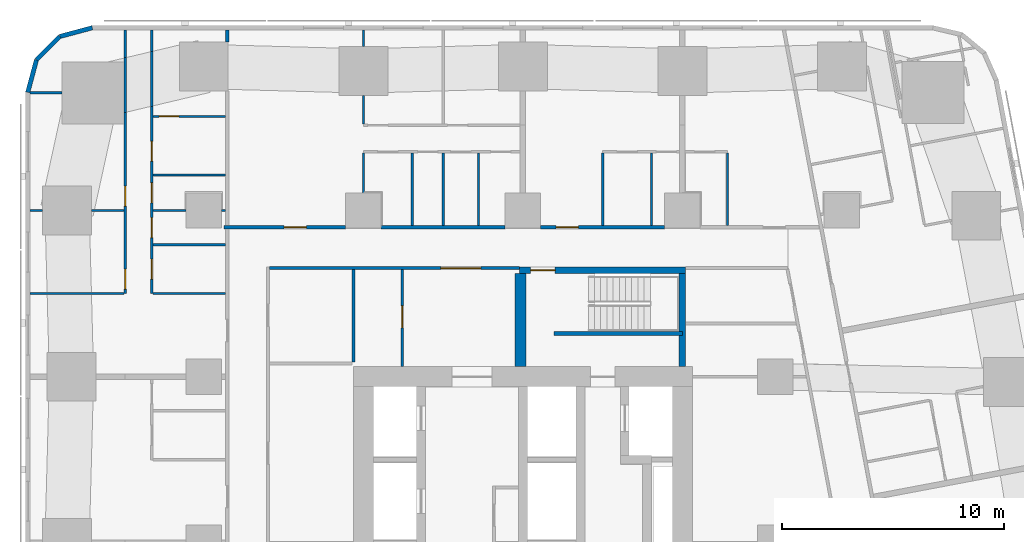
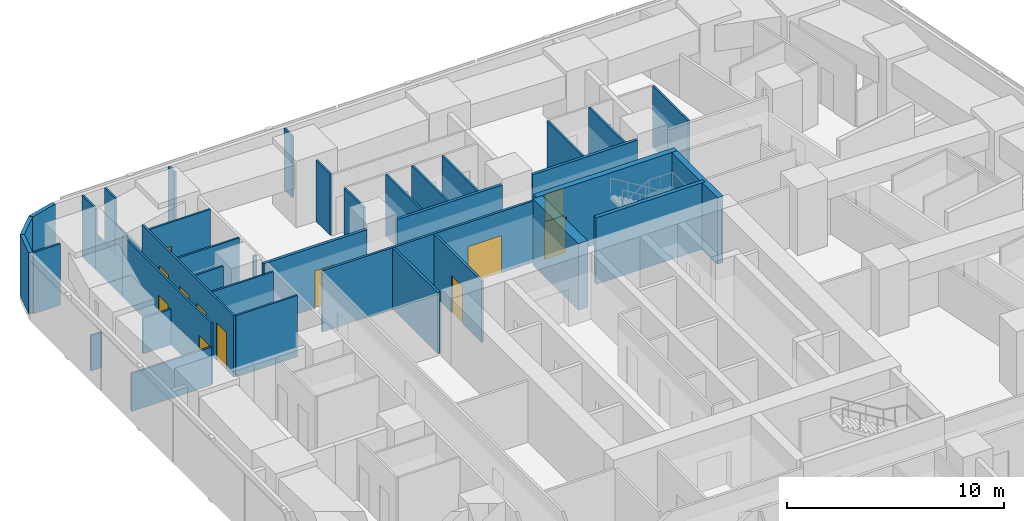
# One storey, part 8 of 14: 39 walls, 12 doors, 12 openings.
"""IFC4 building model written with IfcOpenShell, lengths in metres."""

from ifc_helpers import new_model, si_unit, direction, frame, frame_2d, origin, place, context, subcontext, project, spatial, rectangle, extrude, material, layer, layer_set, type_object, element, fill, save


model = new_model("IFC4")

# Units and contexts
model_context = context("Model", 3, precision=1e-05, world=origin(), true_north=direction((0.0, 1.0)))
body_context = subcontext(model_context, "Body", "Model", "MODEL_VIEW")
ifc_project = project(units=[si_unit("LENGTHUNIT", "METRE"), si_unit("AREAUNIT", "SQUARE_METRE"), si_unit("VOLUMEUNIT", "CUBIC_METRE"), si_unit("PLANEANGLEUNIT", "RADIAN"), si_unit("MASSUNIT", "GRAM", prefix="KILO")], contexts=[model_context])

# Site, building, storey
site_placement = place(None, origin())
site = spatial("IfcSite", under=ifc_project, at=site_placement, CompositionType="ELEMENT")
building_placement = place(site_placement, origin())
building = spatial("IfcBuilding", under=site, at=building_placement, Name="Sheger Commons Tower", CompositionType="ELEMENT")
storey_placement = place(building_placement, frame((0.0, 0.0, 126.64990234375)))
storey = spatial("IfcBuildingStorey", under=building, at=storey_placement, Name="L32", CompositionType="ELEMENT", Elevation=126.64990234375)

# Wall
ifc_material_1 = material(Name="Hollow concrete block masonry, skimmed both sides", Category="masonry")
ifc_layer_1 = layer(ifc_material_1, 0.14990234375)
ifc_layer_set_1 = layer_set([ifc_layer_1], Name="CORRIDOR WALL 150")
wall_type_1 = type_object("IfcWallType", Name="CORRIDOR WALL 150", PredefinedType="SOLIDWALL", material=ifc_layer_set_1)
wall_1_placement = place(storey_placement, frame((8.25, 45.10107421875, 0.0), z_axis=(0.0, 0.0, 1.0), x_axis=(0.0, 1.0, 0.0)))
element("IfcWall", 1, at=wall_1_placement, inside=storey, type_object=wall_type_1, Name="Corridor wall L32", PredefinedType="SOLIDWALL", context=body_context, shape_type="SweptSolid", body=[
    extrude(rectangle(XDim=0.548828125, YDim=0.14990234375, at=frame_2d((0.2744140625, 0.0))), origin(), (0.0, 0.0, 1.0), 3.4501953125),
])

# Wall, opening, door
wall_2_placement = place(storey_placement, frame((8.10009765625, 36.75, 0.0), z_axis=(0.0, 0.0, 1.0), x_axis=(1.0, 0.0, 0.0)))
wall_2 = element("IfcWall", 2, at=wall_2_placement, inside=storey, type_object=wall_type_1, Name="Corridor wall L32", PredefinedType="SOLIDWALL", context=body_context, shape_type="SweptSolid", body=[
    extrude(rectangle(XDim=5.4990234375, YDim=0.14990234375, at=frame_2d((2.74951171875, 0.0))), origin(), (0.0, 0.0, 1.0), 3.4501953125),
])
opening_1_placement = place(wall_2_placement, frame((2.72509765625, 0.0, 0.0)))
opening_1 = element("IfcOpeningElement", 3, at=opening_1_placement, cuts=wall_2, Name="Opening D1", PredefinedType="OPENING", context=body_context, shape_type="SweptSolid", body=[
    extrude(rectangle(XDim=1.0, YDim=2.10009765625, at=frame_2d((0.5, 1.050048828125))), frame((0.0, 0.0849609375, 0.0), z_axis=(0.0, -1.0, 0.0), x_axis=(1.0, 0.0, 0.0)), (0.0, 0.0, 1.0), 0.169921875),
])
ifc_material_2 = material(Name="Steel door set, fire rated", Category="steel")
door_type_1 = type_object("IfcDoorType", Name="FLAT ENTRANCE DOOR 1000x2100", OperationType="NOTDEFINED", PredefinedType="DOOR", material=ifc_material_2)
door_1_placement = place(opening_1_placement, origin())
door_1 = element("IfcDoor", 4, at=door_1_placement, inside=storey, type_object=door_type_1, Name="Flat entrance door", OperationType="SINGLE_SWING_LEFT", OverallHeight=2.10009765625, OverallWidth=1.0, PredefinedType="DOOR", context=body_context, shape_type="SweptSolid", body=[
    extrude(rectangle(XDim=1.0, YDim=2.10009765625, at=frame_2d((0.5, 1.050048828125))), frame((0.0, 0.02490234375, 0.0), z_axis=(0.0, -1.0, 0.0), x_axis=(1.0, 0.0, 0.0)), (0.0, 0.0, 1.0), 0.050048828125),
])
fill(opening_1, door_1)

# Wall
wall_3_placement = place(storey_placement, frame((15.200927734375, 36.75, 0.0), z_axis=(0.0, 0.0, 1.0), x_axis=(1.0, 0.0, 0.0)))
element("IfcWall", 5, at=wall_3_placement, inside=storey, type_object=wall_type_1, Name="Corridor wall L32", PredefinedType="SOLIDWALL", context=body_context, shape_type="SweptSolid", body=[
    extrude(rectangle(XDim=5.59814453125, YDim=0.14990234375, at=frame_2d((2.799072265625, 0.0))), origin(), (0.0, 0.0, 1.0), 3.4501953125),
])

# Wall, opening, door
wall_4_placement = place(storey_placement, frame((22.40087890625, 36.75, 0.0), z_axis=(0.0, 0.0, 1.0), x_axis=(1.0, 0.0, 0.0)))
wall_4 = element("IfcWall", 6, at=wall_4_placement, inside=storey, type_object=wall_type_1, Name="Corridor wall L32", PredefinedType="SOLIDWALL", context=body_context, shape_type="SweptSolid", body=[
    extrude(rectangle(XDim=5.59814453125, YDim=0.14990234375, at=frame_2d((2.799072265625, 0.0))), origin(), (0.0, 0.0, 1.0), 3.4501953125),
])
opening_2_placement = place(wall_4_placement, frame((0.698974609375, 0.0, 0.0)))
opening_2 = element("IfcOpeningElement", 7, at=opening_2_placement, cuts=wall_4, Name="Opening D1", PredefinedType="OPENING", context=body_context, shape_type="SweptSolid", body=[
    extrude(rectangle(XDim=1.0, YDim=2.10009765625, at=frame_2d((0.5, 1.050048828125))), frame((0.0, 0.0849609375, 0.0), z_axis=(0.0, -1.0, 0.0), x_axis=(1.0, 0.0, 0.0)), (0.0, 0.0, 1.0), 0.169921875),
])
door_2_placement = place(opening_2_placement, origin())
door_2 = element("IfcDoor", 8, at=door_2_placement, inside=storey, type_object=door_type_1, Name="Flat entrance door", OperationType="SINGLE_SWING_LEFT", OverallHeight=2.10009765625, OverallWidth=1.0, PredefinedType="DOOR", context=body_context, shape_type="SweptSolid", body=[
    extrude(rectangle(XDim=1.0, YDim=2.10009765625, at=frame_2d((0.5, 1.050048828125))), frame((0.0, 0.02490234375, 0.0), z_axis=(0.0, -1.0, 0.0), x_axis=(1.0, 0.0, 0.0)), (0.0, 0.0, 1.0), 0.050048828125),
])
fill(opening_2, door_2)

# Walls
ifc_material_3 = material(Name="Rendered concrete block masonry, dark grey", Category="masonry")
ifc_layer_2 = layer(ifc_material_3, 0.199951171875)
ifc_layer_set_2 = layer_set([ifc_layer_2], Name="FACADE WALL 200")
wall_type_2 = type_object("IfcWallType", Name="FACADE WALL 200", PredefinedType="SOLIDWALL", material=ifc_layer_set_2)
wall_5_placement = place(storey_placement, frame((2.1630859375, 45.75, 0.0), z_axis=(0.0, 0.0, 1.0), x_axis=(-0.965832000415, -0.259168954497, 0.0)))
element("IfcWall", 9, at=wall_5_placement, inside=storey, type_object=wall_type_2, Name="Facade wall L32", PredefinedType="SOLIDWALL", context=body_context, shape_type="SweptSolid", body=[
    extrude(rectangle(XDim=1.512939453125, YDim=0.199951171875, at=frame_2d((0.75634765625, 0.0))), origin(), (0.0, 0.0, 1.0), 3.4501953125),
])
wall_6_placement = place(storey_placement, frame((0.701904296875, 45.35791015625, 0.0), z_axis=(0.0, 0.0, 1.0), x_axis=(-0.707106781187, -0.707106781187, 0.0)))
element("IfcWall", 10, at=wall_6_placement, inside=storey, type_object=wall_type_2, Name="Facade wall L32", PredefinedType="SOLIDWALL", context=body_context, shape_type="SweptSolid", body=[
    extrude(rectangle(XDim=1.498779296875, YDim=0.199951171875, at=frame_2d((0.74951171875, 0.0))), origin(), (0.0, 0.0, 1.0), 3.4501953125),
])
wall_7_placement = place(storey_placement, frame((-0.35791015625, 44.298095703125, 0.0), z_axis=(0.0, 0.0, 1.0), x_axis=(-0.259168954497, -0.965832000415, 0.0)))
element("IfcWall", 11, at=wall_7_placement, inside=storey, type_object=wall_type_2, Name="Facade wall L32", PredefinedType="SOLIDWALL", context=body_context, shape_type="SweptSolid", body=[
    extrude(rectangle(XDim=1.512939453125, YDim=0.199951171875, at=frame_2d((0.75634765625, 0.0))), origin(), (0.0, 0.0, 1.0), 3.4501953125),
])

# Wall, openings, doors
ifc_material_4 = material(Name="Gypsum board on steel studs", Category="steel")
ifc_layer_3 = layer(ifc_material_4, 0.10009765625)
ifc_layer_set_3 = layer_set([ifc_layer_3], Name="PARTITION 100")
wall_type_3 = type_object("IfcWallType", Name="PARTITION 100", PredefinedType="PARTITIONING", material=ifc_layer_set_3)
wall_8_placement = place(storey_placement, frame((3.64990234375, 33.75, 0.0), z_axis=(0.0, 0.0, 1.0), x_axis=(0.0, 1.0, 0.0)))
wall_8 = element("IfcWall", 12, at=wall_8_placement, inside=storey, type_object=wall_type_3, Name="Partition L32", PredefinedType="PARTITIONING", context=body_context, shape_type="SweptSolid", body=[
    extrude(rectangle(XDim=8.1650390625, YDim=0.10009765625, at=frame_2d((4.08251953125, 0.0))), origin(), (0.0, 0.0, 1.0), 3.4501953125),
])
opening_3_placement = place(wall_8_placement, frame((0.199951171875, 0.0, 0.0)))
opening_3 = element("IfcOpeningElement", 13, at=opening_3_placement, cuts=wall_8, Name="Opening D2", PredefinedType="OPENING", context=body_context, shape_type="SweptSolid", body=[
    extrude(rectangle(XDim=0.89990234375, YDim=2.10009765625, at=frame_2d((0.449951171875, 1.050048828125))), frame((0.0, 0.06005859375, 0.0), z_axis=(0.0, -1.0, 0.0), x_axis=(1.0, 0.0, 0.0)), (0.0, 0.0, 1.0), 0.1201171875),
])
opening_4_placement = place(wall_8_placement, frame((3.949951171875, 0.0, 0.0)))
opening_4 = element("IfcOpeningElement", 14, at=opening_4_placement, cuts=wall_8, Name="Opening D2", PredefinedType="OPENING", context=body_context, shape_type="SweptSolid", body=[
    extrude(rectangle(XDim=0.89990234375, YDim=2.10009765625, at=frame_2d((0.449951171875, 1.050048828125))), frame((0.0, 0.06005859375, 0.0), z_axis=(0.0, -1.0, 0.0), x_axis=(1.0, 0.0, 0.0)), (0.0, 0.0, 1.0), 0.1201171875),
])
ifc_material_5 = material(Name="Timber door set", Category="wood")
door_type_2 = type_object("IfcDoorType", Name="INTERNAL DOOR 900x2100", OperationType="NOTDEFINED", PredefinedType="DOOR", material=ifc_material_5)
door_3_placement = place(opening_3_placement, origin())
door_3 = element("IfcDoor", 15, at=door_3_placement, inside=storey, type_object=door_type_2, Name="Main bedroom door", OperationType="SINGLE_SWING_LEFT", OverallHeight=2.10009765625, OverallWidth=0.89990234375, PredefinedType="DOOR", context=body_context, shape_type="SweptSolid", body=[
    extrude(rectangle(XDim=0.89990234375, YDim=2.10009765625, at=frame_2d((0.449951171875, 1.050048828125))), frame((0.0, 0.02490234375, 0.0), z_axis=(0.0, -1.0, 0.0), x_axis=(1.0, 0.0, 0.0)), (0.0, 0.0, 1.0), 0.050048828125),
])
fill(opening_3, door_3)
door_4_placement = place(opening_4_placement, origin())
door_4 = element("IfcDoor", 16, at=door_4_placement, inside=storey, type_object=door_type_2, Name="Bedroom 2 door", OperationType="SINGLE_SWING_LEFT", OverallHeight=2.10009765625, OverallWidth=0.89990234375, PredefinedType="DOOR", context=body_context, shape_type="SweptSolid", body=[
    extrude(rectangle(XDim=0.89990234375, YDim=2.10009765625, at=frame_2d((0.449951171875, 1.050048828125))), frame((0.0, 0.02490234375, 0.0), z_axis=(0.0, -1.0, 0.0), x_axis=(1.0, 0.0, 0.0)), (0.0, 0.0, 1.0), 0.050048828125),
])
fill(opening_4, door_4)

# Walls
wall_9_placement = place(storey_placement, frame((3.64990234375, 41.9150390625, 0.0), z_axis=(0.0, 0.0, 1.0), x_axis=(0.0, 1.0, 0.0)))
element("IfcWall", 17, at=wall_9_placement, inside=storey, type_object=wall_type_3, Name="Partition L32", PredefinedType="PARTITIONING", context=body_context, shape_type="SweptSolid", body=[
    extrude(rectangle(XDim=2.489990234375, YDim=0.10009765625, at=frame_2d((1.2451171875, 0.0))), origin(), (0.0, 0.0, 1.0), 2.0),
])
wall_10_placement = place(storey_placement, frame((3.64990234375, 44.405029296875, 0.0), z_axis=(0.0, 0.0, 1.0), x_axis=(0.0, 1.0, 0.0)))
element("IfcWall", 18, at=wall_10_placement, inside=storey, type_object=wall_type_3, Name="Partition L32", PredefinedType="PARTITIONING", context=body_context, shape_type="SweptSolid", body=[
    extrude(rectangle(XDim=1.244873046875, YDim=0.10009765625, at=frame_2d((0.62255859375, 0.0))), origin(), (0.0, 0.0, 1.0), 3.4501953125),
])

# Wall, openings, doors
wall_11_placement = place(storey_placement, frame((4.85009765625, 33.75, 0.0), z_axis=(0.0, 0.0, 1.0), x_axis=(0.0, 1.0, 0.0)))
wall_11 = element("IfcWall", 19, at=wall_11_placement, inside=storey, type_object=wall_type_3, Name="Partition L32", PredefinedType="PARTITIONING", context=body_context, shape_type="SweptSolid", body=[
    extrude(rectangle(XDim=8.448974609375, YDim=0.10009765625, at=frame_2d((4.224609375, 0.0))), origin(), (0.0, 0.0, 1.0), 3.4501953125),
])
opening_5_placement = place(wall_11_placement, frame((0.655029296875, 0.0, 0.0)))
opening_5 = element("IfcOpeningElement", 20, at=opening_5_placement, cuts=wall_11, Name="Opening D2", PredefinedType="OPENING", context=body_context, shape_type="SweptSolid", body=[
    extrude(rectangle(XDim=0.89990234375, YDim=2.10009765625, at=frame_2d((0.449951171875, 1.050048828125))), frame((0.0, 0.06005859375, 0.0), z_axis=(0.0, -1.0, 0.0), x_axis=(1.0, 0.0, 0.0)), (0.0, 0.0, 1.0), 0.1201171875),
])
opening_6_placement = place(wall_11_placement, frame((4.10009765625, 0.0, 0.0)))
opening_6 = element("IfcOpeningElement", 21, at=opening_6_placement, cuts=wall_11, Name="Opening D2", PredefinedType="OPENING", context=body_context, shape_type="SweptSolid", body=[
    extrude(rectangle(XDim=0.89990234375, YDim=2.10009765625, at=frame_2d((0.449951171875, 1.050048828125))), frame((0.0, 0.06005859375, 0.0), z_axis=(0.0, -1.0, 0.0), x_axis=(1.0, 0.0, 0.0)), (0.0, 0.0, 1.0), 0.1201171875),
])
opening_7_placement = place(wall_11_placement, frame((2.530029296875, 0.0, 0.0)))
opening_7 = element("IfcOpeningElement", 22, at=opening_7_placement, cuts=wall_11, Name="Opening D2", PredefinedType="OPENING", context=body_context, shape_type="SweptSolid", body=[
    extrude(rectangle(XDim=0.89990234375, YDim=2.10009765625, at=frame_2d((0.449951171875, 1.050048828125))), frame((0.0, 0.06005859375, 0.0), z_axis=(0.0, -1.0, 0.0), x_axis=(1.0, 0.0, 0.0)), (0.0, 0.0, 1.0), 0.1201171875),
])
opening_8_placement = place(wall_11_placement, frame((5.97509765625, 0.0, 0.0)))
opening_8 = element("IfcOpeningElement", 23, at=opening_8_placement, cuts=wall_11, Name="Opening D2", PredefinedType="OPENING", context=body_context, shape_type="SweptSolid", body=[
    extrude(rectangle(XDim=0.89990234375, YDim=2.10009765625, at=frame_2d((0.449951171875, 1.050048828125))), frame((0.0, 0.06005859375, 0.0), z_axis=(0.0, -1.0, 0.0), x_axis=(1.0, 0.0, 0.0)), (0.0, 0.0, 1.0), 0.1201171875),
])
door_5_placement = place(opening_5_placement, origin())
door_5 = element("IfcDoor", 24, at=door_5_placement, inside=storey, type_object=door_type_2, Name="Bathroom door", OperationType="SINGLE_SWING_RIGHT", OverallHeight=2.10009765625, OverallWidth=0.89990234375, PredefinedType="DOOR", context=body_context, shape_type="SweptSolid", body=[
    extrude(rectangle(XDim=0.89990234375, YDim=2.10009765625, at=frame_2d((0.449951171875, 1.050048828125))), frame((0.0, 0.02490234375, 0.0), z_axis=(0.0, -1.0, 0.0), x_axis=(1.0, 0.0, 0.0)), (0.0, 0.0, 1.0), 0.050048828125),
])
fill(opening_5, door_5)
door_6_placement = place(opening_6_placement, origin())
door_6 = element("IfcDoor", 25, at=door_6_placement, inside=storey, type_object=door_type_2, Name="Shower room door", OperationType="SINGLE_SWING_LEFT", OverallHeight=2.10009765625, OverallWidth=0.89990234375, PredefinedType="DOOR", context=body_context, shape_type="SweptSolid", body=[
    extrude(rectangle(XDim=0.89990234375, YDim=2.10009765625, at=frame_2d((0.449951171875, 1.050048828125))), frame((0.0, 0.02490234375, 0.0), z_axis=(0.0, -1.0, 0.0), x_axis=(1.0, 0.0, 0.0)), (0.0, 0.0, 1.0), 0.050048828125),
])
fill(opening_6, door_6)
door_7_placement = place(opening_7_placement, origin())
door_7 = element("IfcDoor", 26, at=door_7_placement, inside=storey, type_object=door_type_2, Name="Store door", OperationType="SINGLE_SWING_RIGHT", OverallHeight=2.10009765625, OverallWidth=0.89990234375, PredefinedType="DOOR", context=body_context, shape_type="SweptSolid", body=[
    extrude(rectangle(XDim=0.89990234375, YDim=2.10009765625, at=frame_2d((0.449951171875, 1.050048828125))), frame((0.0, 0.02490234375, 0.0), z_axis=(0.0, -1.0, 0.0), x_axis=(1.0, 0.0, 0.0)), (0.0, 0.0, 1.0), 0.050048828125),
])
fill(opening_7, door_7)
door_8_placement = place(opening_8_placement, origin())
door_8 = element("IfcDoor", 27, at=door_8_placement, inside=storey, type_object=door_type_2, Name="Store door", OperationType="SINGLE_SWING_RIGHT", OverallHeight=2.10009765625, OverallWidth=0.89990234375, PredefinedType="DOOR", context=body_context, shape_type="SweptSolid", body=[
    extrude(rectangle(XDim=0.89990234375, YDim=2.10009765625, at=frame_2d((0.449951171875, 1.050048828125))), frame((0.0, 0.02490234375, 0.0), z_axis=(0.0, -1.0, 0.0), x_axis=(1.0, 0.0, 0.0)), (0.0, 0.0, 1.0), 0.050048828125),
])
fill(opening_8, door_8)

# Walls
wall_12_placement = place(storey_placement, frame((4.85009765625, 42.198974609375, 0.0), z_axis=(0.0, 0.0, 1.0), x_axis=(0.0, 1.0, 0.0)))
element("IfcWall", 28, at=wall_12_placement, inside=storey, type_object=wall_type_3, Name="Partition L32", PredefinedType="PARTITIONING", context=body_context, shape_type="SweptSolid", body=[
    extrude(rectangle(XDim=2.489990234375, YDim=0.10009765625, at=frame_2d((1.2451171875, 0.0))), origin(), (0.0, 0.0, 1.0), 2.0),
])
wall_13_placement = place(storey_placement, frame((4.85009765625, 44.68896484375, 0.0), z_axis=(0.0, 0.0, 1.0), x_axis=(0.0, 1.0, 0.0)))
element("IfcWall", 29, at=wall_13_placement, inside=storey, type_object=wall_type_3, Name="Partition L32", PredefinedType="PARTITIONING", context=body_context, shape_type="SweptSolid", body=[
    extrude(rectangle(XDim=0.9609375, YDim=0.10009765625, at=frame_2d((0.48046875, 0.0))), origin(), (0.0, 0.0, 1.0), 3.4501953125),
])
wall_14_placement = place(storey_placement, frame((-0.64990234375, 33.75, 0.0), z_axis=(0.0, 0.0, 1.0), x_axis=(1.0, 0.0, 0.0)))
element("IfcWall", 30, at=wall_14_placement, inside=storey, type_object=wall_type_3, Name="Partition L32", PredefinedType="PARTITIONING", context=body_context, shape_type="SweptSolid", body=[
    extrude(rectangle(XDim=4.25, YDim=0.10009765625, at=frame_2d((2.125, 0.0))), origin(), (0.0, 0.0, 1.0), 2.150146484375),
])
wall_15_placement = place(storey_placement, frame((-0.64990234375, 37.5, 0.0), z_axis=(0.0, 0.0, 1.0), x_axis=(1.0, 0.0, 0.0)))
element("IfcWall", 31, at=wall_15_placement, inside=storey, type_object=wall_type_3, Name="Partition L32", PredefinedType="PARTITIONING", context=body_context, shape_type="SweptSolid", body=[
    extrude(rectangle(XDim=0.573974609375, YDim=0.10009765625, at=frame_2d((0.287109375, 0.0))), origin(), (0.0, 0.0, 1.0), 2.0),
])
wall_16_placement = place(storey_placement, frame((2.1259765625, 37.5, 0.0), z_axis=(0.0, 0.0, 1.0), x_axis=(1.0, 0.0, 0.0)))
element("IfcWall", 32, at=wall_16_placement, inside=storey, type_object=wall_type_3, Name="Partition L32", PredefinedType="PARTITIONING", context=body_context, shape_type="SweptSolid", body=[
    extrude(rectangle(XDim=1.47412109375, YDim=0.10009765625, at=frame_2d((0.737060546875, 0.0))), origin(), (0.0, 0.0, 1.0), 2.0),
])
wall_17_placement = place(storey_placement, frame((-0.64990234375, 42.81396484375, 0.0), z_axis=(0.0, 0.0, 1.0), x_axis=(1.0, 0.0, 0.0)))
element("IfcWall", 33, at=wall_17_placement, inside=storey, type_object=wall_type_3, Name="Partition L32", PredefinedType="PARTITIONING", context=body_context, shape_type="SweptSolid", body=[
    extrude(rectangle(XDim=1.434814453125, YDim=0.10009765625, at=frame_2d((0.71728515625, 0.0))), origin(), (0.0, 0.0, 1.0), 3.4501953125),
])
wall_18_placement = place(storey_placement, frame((4.89990234375, 33.75, 0.0), z_axis=(0.0, 0.0, 1.0), x_axis=(1.0, 0.0, 0.0)))
element("IfcWall", 34, at=wall_18_placement, inside=storey, type_object=wall_type_3, Name="Partition L32", PredefinedType="PARTITIONING", context=body_context, shape_type="SweptSolid", body=[
    extrude(rectangle(XDim=3.275146484375, YDim=0.10009765625, at=frame_2d((1.6376953125, 0.0))), origin(), (0.0, 0.0, 1.0), 3.4501953125),
])
wall_19_placement = place(storey_placement, frame((4.89990234375, 37.5, 0.0), z_axis=(0.0, 0.0, 1.0), x_axis=(1.0, 0.0, 0.0)))
element("IfcWall", 35, at=wall_19_placement, inside=storey, type_object=wall_type_3, Name="Partition L32", PredefinedType="PARTITIONING", context=body_context, shape_type="SweptSolid", body=[
    extrude(rectangle(XDim=1.4990234375, YDim=0.10009765625, at=frame_2d((0.74951171875, 0.0))), origin(), (0.0, 0.0, 1.0), 3.4501953125),
])
wall_20_placement = place(storey_placement, frame((8.0009765625, 37.5, 0.0), z_axis=(0.0, 0.0, 1.0), x_axis=(1.0, 0.0, 0.0)))
element("IfcWall", 36, at=wall_20_placement, inside=storey, type_object=wall_type_3, Name="Partition L32", PredefinedType="PARTITIONING", context=body_context, shape_type="SweptSolid", body=[
    extrude(rectangle(XDim=0.174072265625, YDim=0.10009765625, at=frame_2d((0.0869140625, 0.0))), origin(), (0.0, 0.0, 1.0), 3.4501953125),
])
for number, where, z_axis, x_axis, name in (
    (37, (4.89990234375, 35.9599609375, 0.0), (0.0, 0.0, 1.0), (1.0, 0.0, 0.0), "Partition L32"),
    (38, (4.89990234375, 39.10009765625, 0.0), (0.0, 0.0, 1.0), (1.0, 0.0, 0.0), "Partition L32"),
):
    element("IfcWall", number, at=place(storey_placement, frame(where, z_axis=z_axis, x_axis=x_axis)), inside=storey, type_object=wall_type_3, Name=name, PredefinedType="PARTITIONING", context=body_context, shape_type="SweptSolid", body=[
        extrude(rectangle(XDim=3.275146484375, YDim=0.10009765625, at=frame_2d((1.6376953125, 0.0))), origin(), (0.0, 0.0, 1.0), 3.4501953125),
    ])
wall_21_placement = place(storey_placement, frame((14.39990234375, 41.39990234375, 0.0), z_axis=(0.0, 0.0, 1.0), x_axis=(0.0, 1.0, 0.0)))
element("IfcWall", 39, at=wall_21_placement, inside=storey, type_object=wall_type_3, Name="Partition L32", PredefinedType="PARTITIONING", context=body_context, shape_type="SweptSolid", body=[
    extrude(rectangle(XDim=1.299072265625, YDim=0.10009765625, at=frame_2d((0.6494140625, 0.0))), origin(), (0.0, 0.0, 1.0), 3.4501953125),
])
wall_22_placement = place(storey_placement, frame((14.39990234375, 44.90087890625, 0.0), z_axis=(0.0, 0.0, 1.0), x_axis=(0.0, 1.0, 0.0)))
element("IfcWall", 40, at=wall_22_placement, inside=storey, type_object=wall_type_3, Name="Partition L32", PredefinedType="PARTITIONING", context=body_context, shape_type="SweptSolid", body=[
    extrude(rectangle(XDim=0.7490234375, YDim=0.10009765625, at=frame_2d((0.37451171875, 0.0))), origin(), (0.0, 0.0, 1.0), 3.4501953125),
])
wall_23_placement = place(storey_placement, frame((14.39990234375, 38.301025390625, 0.0), z_axis=(0.0, 0.0, 1.0), x_axis=(0.0, 1.0, 0.0)))
element("IfcWall", 41, at=wall_23_placement, inside=storey, type_object=wall_type_3, Name="Partition L32", PredefinedType="PARTITIONING", context=body_context, shape_type="SweptSolid", body=[
    extrude(rectangle(XDim=1.799072265625, YDim=0.10009765625, at=frame_2d((0.8994140625, 0.0))), origin(), (0.0, 0.0, 1.0), 3.4501953125),
])
for number, where, z_axis, x_axis, name in (
    (42, (18.0, 36.824951171875, 0.0), (0.0, 0.0, 1.0), (0.0, 1.0, 0.0), "Partition L32"),
    (43, (16.610107421875, 36.824951171875, 0.0), (0.0, 0.0, 1.0), (0.0, 1.0, 0.0), "Partition L32"),
    (44, (19.60009765625, 36.824951171875, 0.0), (0.0, 0.0, 1.0), (0.0, 1.0, 0.0), "Partition L32"),
    (45, (25.199951171875, 36.824951171875, 0.0), (0.0, 0.0, 1.0), (0.0, 1.0, 0.0), "Partition L32"),
    (46, (27.409912109375, 36.824951171875, 0.0), (0.0, 0.0, 1.0), (0.0, 1.0, 0.0), "Partition L32"),
    (47, (30.8291015625, 36.824951171875, 0.0), (0.0, 0.0, 1.0), (0.0, 1.0, 0.0), "Partition L32"),
):
    element("IfcWall", number, at=place(storey_placement, frame(where, z_axis=z_axis, x_axis=x_axis)), inside=storey, type_object=wall_type_3, Name=name, PredefinedType="PARTITIONING", context=body_context, shape_type="SweptSolid", body=[
        extrude(rectangle(XDim=3.275146484375, YDim=0.10009765625, at=frame_2d((1.6376953125, 0.0))), origin(), (0.0, 0.0, 1.0), 3.4501953125),
    ])

# Wall, opening, door
wall_24_placement = place(storey_placement, frame((8.175048828125, 41.75, 0.0), z_axis=(0.0, 0.0, 1.0), x_axis=(-1.0, 0.0, 0.0)))
wall_24 = element("IfcWall", 48, at=wall_24_placement, inside=storey, type_object=wall_type_3, Name="Partition L32", PredefinedType="PARTITIONING", context=body_context, shape_type="SweptSolid", body=[
    extrude(rectangle(XDim=3.275146484375, YDim=0.10009765625, at=frame_2d((1.6376953125, 0.0))), origin(), (0.0, 0.0, 1.0), 3.4501953125),
])
opening_9_placement = place(wall_24_placement, frame((2.10009765625, 0.0, 0.0)))
opening_9 = element("IfcOpeningElement", 49, at=opening_9_placement, cuts=wall_24, Name="Opening D2", PredefinedType="OPENING", context=body_context, shape_type="SweptSolid", body=[
    extrude(rectangle(XDim=0.89990234375, YDim=2.10009765625, at=frame_2d((0.449951171875, 1.050048828125))), frame((0.0, 0.06005859375, 0.0), z_axis=(0.0, -1.0, 0.0), x_axis=(1.0, 0.0, 0.0)), (0.0, 0.0, 1.0), 0.1201171875),
])
door_9_placement = place(opening_9_placement, origin())
door_9 = element("IfcDoor", 50, at=door_9_placement, inside=storey, type_object=door_type_2, Name="Store door", OperationType="SINGLE_SWING_LEFT", OverallHeight=2.10009765625, OverallWidth=0.89990234375, PredefinedType="DOOR", context=body_context, shape_type="SweptSolid", body=[
    extrude(rectangle(XDim=0.89990234375, YDim=2.10009765625, at=frame_2d((0.449951171875, 1.050048828125))), frame((0.0, 0.02490234375, 0.0), z_axis=(0.0, -1.0, 0.0), x_axis=(1.0, 0.0, 0.0)), (0.0, 0.0, 1.0), 0.050048828125),
])
fill(opening_9, door_9)

# Wall
ifc_material_6 = material(Name="Gypsum board on steel studs, two layers each side, fire rated", Category="steel")
ifc_layer_4 = layer(ifc_material_6, 0.125)
ifc_layer_set_4 = layer_set([ifc_layer_4], Name="SERVICE WALL 125")
wall_type_4 = type_object("IfcWallType", Name="SERVICE WALL 125", PredefinedType="PARTITIONING", material=ifc_layer_set_4)
wall_25_placement = place(storey_placement, frame((13.949951171875, 30.6630859375, 0.0), z_axis=(0.0, 0.0, 1.0), x_axis=(0.0, 1.0, 0.0)))
element("IfcWall", 51, at=wall_25_placement, inside=storey, type_object=wall_type_4, Name="Service room wall L32", PredefinedType="PARTITIONING", context=body_context, shape_type="SweptSolid", body=[
    extrude(rectangle(XDim=4.173828125, YDim=0.125, at=frame_2d((2.0869140625, 0.0))), origin(), (0.0, 0.0, 1.0), 3.4501953125),
])

# Wall, opening, door
wall_26_placement = place(storey_placement, frame((10.1630859375, 34.89990234375, 0.0), z_axis=(0.0, 0.0, 1.0), x_axis=(1.0, 0.0, 0.0)))
wall_26 = element("IfcWall", 52, at=wall_26_placement, inside=storey, type_object=wall_type_4, Name="Service room wall L32", PredefinedType="PARTITIONING", context=body_context, shape_type="SweptSolid", body=[
    extrude(rectangle(XDim=11.286865234375, YDim=0.125, at=frame_2d((5.6435546875, 0.0))), origin(), (0.0, 0.0, 1.0), 3.4501953125),
])
opening_10_placement = place(wall_26_placement, frame((7.737060546875, 0.0, 0.0)))
opening_10 = element("IfcOpeningElement", 53, at=opening_10_placement, cuts=wall_26, Name="Opening D6", PredefinedType="OPENING", context=body_context, shape_type="SweptSolid", body=[
    extrude(rectangle(XDim=1.800048828125, YDim=2.10009765625, at=frame_2d((0.89990234375, 1.050048828125))), frame((0.0, 0.072509765625, 0.0), z_axis=(0.0, -1.0, 0.0), x_axis=(1.0, 0.0, 0.0)), (0.0, 0.0, 1.0), 0.14501953125),
])
ifc_material_7 = material(Name="Steel door set, fire rated", Category="steel")
door_type_3 = type_object("IfcDoorType", Name="LOBBY DOUBLE DOOR 1800x2100", OperationType="DOUBLE_DOOR_SINGLE_SWING", PredefinedType="DOOR", material=ifc_material_7)
door_10_placement = place(opening_10_placement, origin())
door_10 = element("IfcDoor", 54, at=door_10_placement, inside=storey, type_object=door_type_3, Name="Lift lobby north door", OperationType="DOUBLE_DOOR_SINGLE_SWING", OverallHeight=2.10009765625, OverallWidth=1.800048828125, PredefinedType="DOOR", context=body_context, shape_type="SweptSolid", body=[
    extrude(rectangle(XDim=1.800048828125, YDim=2.10009765625, at=frame_2d((0.89990234375, 1.050048828125))), frame((0.0, 0.02490234375, 0.0), z_axis=(0.0, -1.0, 0.0), x_axis=(1.0, 0.0, 0.0)), (0.0, 0.0, 1.0), 0.050048828125),
])
fill(opening_10, door_10)

wall_27_placement = place(storey_placement, frame((16.14990234375, 30.449951171875, 0.0), z_axis=(0.0, 0.0, 1.0), x_axis=(0.0, 1.0, 0.0)))
wall_27 = element("IfcWall", 55, at=wall_27_placement, inside=storey, type_object=wall_type_4, Name="Service room wall L32", PredefinedType="PARTITIONING", context=body_context, shape_type="SweptSolid", body=[
    extrude(rectangle(XDim=4.386962890625, YDim=0.125, at=frame_2d((2.193359375, 0.0))), origin(), (0.0, 0.0, 1.0), 3.4501953125),
])
opening_11_placement = place(wall_27_placement, frame((1.75, 0.0, 0.0)))
opening_11 = element("IfcOpeningElement", 56, at=opening_11_placement, cuts=wall_27, Name="Opening D4", PredefinedType="OPENING", context=body_context, shape_type="SweptSolid", body=[
    extrude(rectangle(XDim=1.0, YDim=2.10009765625, at=frame_2d((0.5, 1.050048828125))), frame((0.0, 0.072509765625, 0.0), z_axis=(0.0, -1.0, 0.0), x_axis=(1.0, 0.0, 0.0)), (0.0, 0.0, 1.0), 0.14501953125),
])
ifc_material_8 = material(Name="Steel door set, fire rated", Category="steel")
door_type_4 = type_object("IfcDoorType", Name="SERVICE DOOR 1000x2100", OperationType="NOTDEFINED", PredefinedType="DOOR", material=ifc_material_8)
door_11_placement = place(opening_11_placement, origin())
door_11 = element("IfcDoor", 57, at=door_11_placement, inside=storey, type_object=door_type_4, Name="Telecom room door", OperationType="SINGLE_SWING_RIGHT", OverallHeight=2.10009765625, OverallWidth=1.0, PredefinedType="DOOR", context=body_context, shape_type="SweptSolid", body=[
    extrude(rectangle(XDim=1.0, YDim=2.10009765625, at=frame_2d((0.5, 1.050048828125))), frame((0.0, 0.02490234375, 0.0), z_axis=(0.0, -1.0, 0.0), x_axis=(1.0, 0.0, 0.0)), (0.0, 0.0, 1.0), 0.050048828125),
])
fill(opening_11, door_11)

ifc_material_9 = material(Name="Concrete C50/60", Category="concrete")
ifc_layer_5 = layer(ifc_material_9, 0.300048828125)
ifc_layer_set_5 = layer_set([ifc_layer_5], Name="STAIR CORE WALL 300")
wall_type_5 = type_object("IfcWallType", Name="STAIR CORE WALL 300", PredefinedType="SHEAR", material=ifc_layer_set_5)
wall_28_placement = place(storey_placement, frame((21.449951171875, 34.800048828125, 0.0), z_axis=(0.0, 0.0, 1.0), x_axis=(1.0, 0.0, 0.0)))
wall_28 = element("IfcWall", 58, at=wall_28_placement, inside=storey, type_object=wall_type_5, Name="STW-L32-S2N", PredefinedType="SHEAR", context=body_context, shape_type="SweptSolid", body=[
    extrude(rectangle(XDim=7.5, YDim=0.300048828125, at=frame_2d((3.75, 0.0))), origin(), (0.0, 0.0, 1.0), 3.75),
])
opening_12_placement = place(wall_28_placement, frame((0.5, 0.0, 0.0)))
opening_12 = element("IfcOpeningElement", 59, at=opening_12_placement, cuts=wall_28, Name="Opening D5", PredefinedType="OPENING", context=body_context, shape_type="SweptSolid", body=[
    extrude(rectangle(XDim=1.10009765625, YDim=2.10009765625, at=frame_2d((0.550048828125, 1.050048828125))), frame((0.0, 0.159912109375, 0.0), z_axis=(0.0, -1.0, 0.0), x_axis=(1.0, 0.0, 0.0)), (0.0, 0.0, 1.0), 0.320068359375),
])
ifc_material_10 = material(Name="Steel door set, fire rated", Category="steel")
door_type_5 = type_object("IfcDoorType", Name="STAIR DOOR 1100x2100", OperationType="NOTDEFINED", PredefinedType="DOOR", material=ifc_material_10)
door_12_placement = place(opening_12_placement, origin())
door_12 = element("IfcDoor", 60, at=door_12_placement, inside=storey, type_object=door_type_5, Name="Stair S2 door", OperationType="SINGLE_SWING_RIGHT", OverallHeight=2.10009765625, OverallWidth=1.10009765625, PredefinedType="DOOR", context=body_context, shape_type="SweptSolid", body=[
    extrude(rectangle(XDim=1.10009765625, YDim=2.10009765625, at=frame_2d((0.550048828125, 1.050048828125))), frame((0.0, 0.02490234375, 0.0), z_axis=(0.0, -1.0, 0.0), x_axis=(1.0, 0.0, 0.0)), (0.0, 0.0, 1.0), 0.050048828125),
])
fill(opening_12, door_12)

# Walls
wall_29_placement = place(storey_placement, frame((28.800048828125, 30.449951171875, 0.0), z_axis=(0.0, 0.0, 1.0), x_axis=(0.0, 1.0, 0.0)))
element("IfcWall", 61, at=wall_29_placement, inside=storey, type_object=wall_type_5, Name="STW-L32-S2E", PredefinedType="SHEAR", context=body_context, shape_type="SweptSolid", body=[
    extrude(rectangle(XDim=4.199951171875, YDim=0.300048828125, at=frame_2d((2.10009765625, 0.0))), origin(), (0.0, 0.0, 1.0), 3.75),
])
ifc_material_11 = material(Name="Concrete C50/60", Category="concrete")
ifc_layer_6 = layer(ifc_material_11, 0.5)
ifc_layer_set_6 = layer_set([ifc_layer_6], Name="STAIR CORE WALL 500")
wall_type_6 = type_object("IfcWallType", Name="STAIR CORE WALL 500", PredefinedType="SHEAR", material=ifc_layer_set_6)
wall_30_placement = place(storey_placement, frame((21.5, 30.449951171875, 0.0), z_axis=(0.0, 0.0, 1.0), x_axis=(0.0, 1.0, 0.0)))
element("IfcWall", 62, at=wall_30_placement, inside=storey, type_object=wall_type_6, Name="STW-L32-S2W", PredefinedType="SHEAR", context=body_context, shape_type="SweptSolid", body=[
    extrude(rectangle(XDim=4.199951171875, YDim=0.5, at=frame_2d((2.10009765625, 0.0))), origin(), (0.0, 0.0, 1.0), 3.75),
])
ifc_material_12 = material(Name="Concrete C50/60", Category="concrete")
ifc_layer_7 = layer(ifc_material_12, 0.199951171875)
ifc_layer_set_7 = layer_set([ifc_layer_7], Name="STAIR SPINE WALL 200")
wall_type_7 = type_object("IfcWallType", Name="STAIR SPINE WALL 200", PredefinedType="SHEAR", material=ifc_layer_set_7)
wall_31_placement = place(storey_placement, frame((23.0, 31.949951171875, 0.0), z_axis=(0.0, 0.0, 1.0), x_axis=(1.0, 0.0, 0.0)))
element("IfcWall", 63, at=wall_31_placement, inside=storey, type_object=wall_type_7, Name="Stair spine wall L32", PredefinedType="SHEAR", context=body_context, shape_type="SweptSolid", body=[
    extrude(rectangle(XDim=5.800048828125, YDim=0.199951171875, at=frame_2d((2.89990234375, 0.0))), origin(), (0.0, 0.0, 1.0), 3.75),
])

save(model, "model.ifc")
